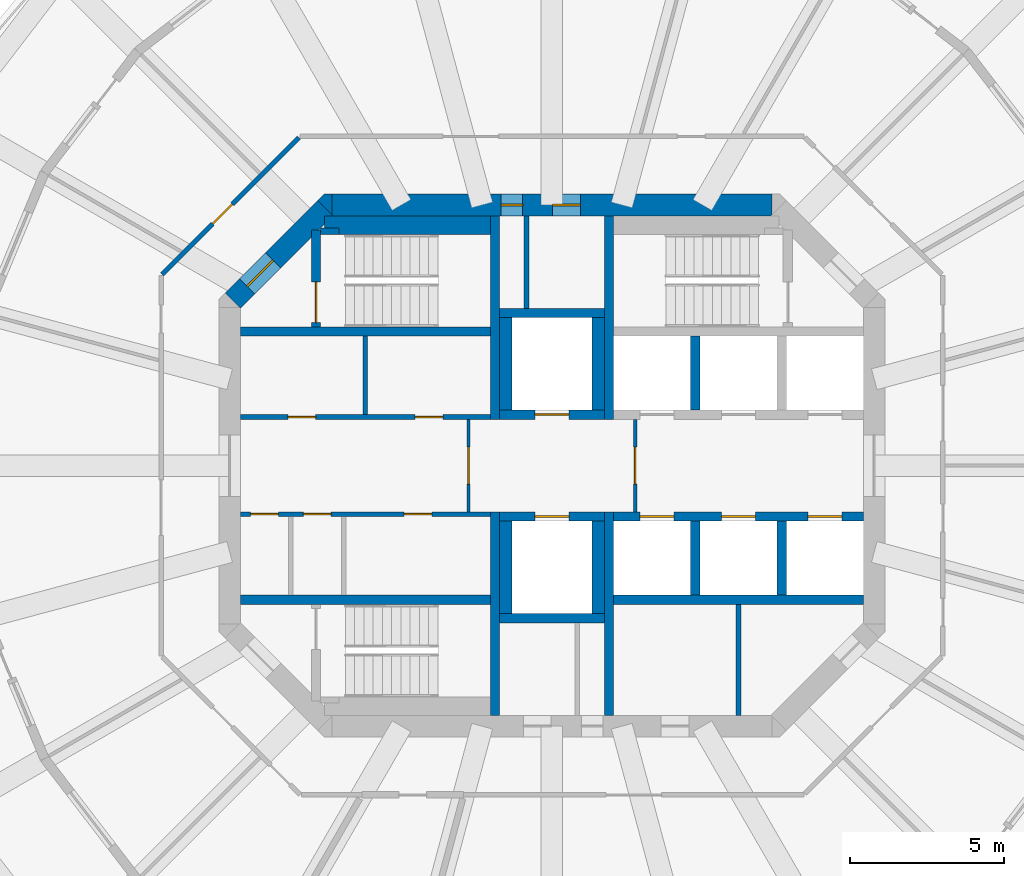
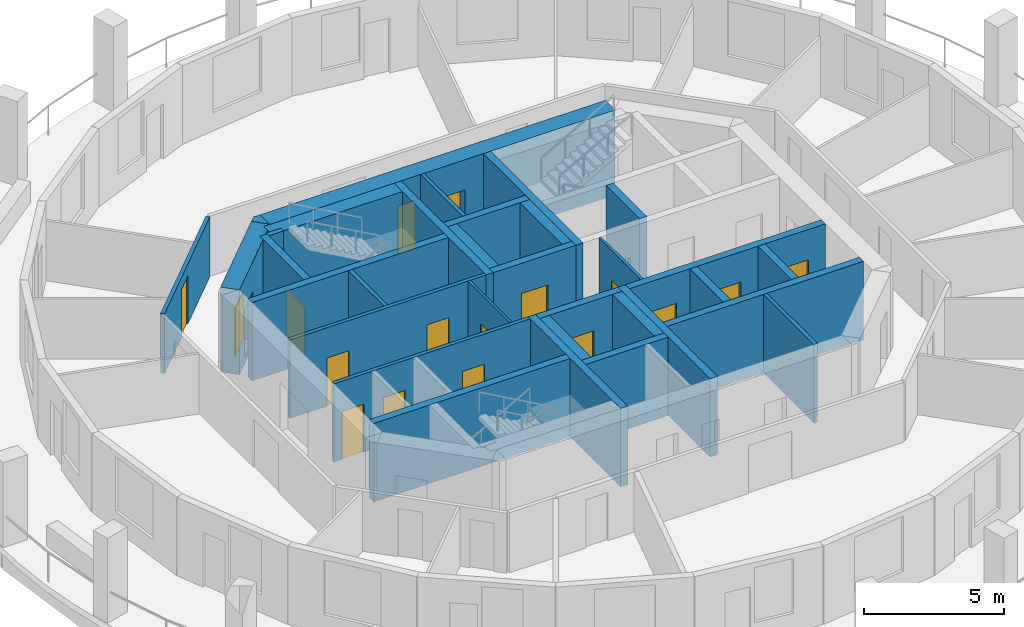
# One storey, part 4 of 9: 33 walls, 17 doors, 17 openings.
"""IFC4 building model written with IfcOpenShell, lengths in metres."""

from ifc_helpers import new_model, si_unit, direction, frame, frame_2d, origin, place, context, subcontext, project, spatial, polyline, rectangle, outline, extrude, material, layer, layer_set, type_object, element, fill, save


model = new_model("IFC4")

# Units and contexts
model_context = context("Model", 3, precision=1e-05, world=origin(), true_north=direction((0.0, 1.0)))
body_context = subcontext(model_context, "Body", "Model", "MODEL_VIEW")
ifc_project = project(units=[si_unit("LENGTHUNIT", "METRE"), si_unit("AREAUNIT", "SQUARE_METRE"), si_unit("VOLUMEUNIT", "CUBIC_METRE"), si_unit("PLANEANGLEUNIT", "RADIAN"), si_unit("MASSUNIT", "GRAM", prefix="KILO")], contexts=[model_context])

# Site, building, storey
site_placement = place(None, origin())
site = spatial("IfcSite", under=ifc_project, at=site_placement, CompositionType="ELEMENT")
building_placement = place(site_placement, origin())
building = spatial("IfcBuilding", under=site, at=building_placement, Name="Torre Triforio", CompositionType="ELEMENT")
storey_placement = place(building_placement, frame((0.0, 0.0, 157.89990234375)))
storey = spatial("IfcBuildingStorey", under=building, at=storey_placement, Name="L35", CompositionType="ELEMENT", Elevation=157.89990234375)

# Walls
ifc_material_1 = material(Name="Concrete C50", Category="concrete")
ifc_layer_1 = layer(ifc_material_1, 0.300048828125)
ifc_layer_set_1 = layer_set([ifc_layer_1], Name="Concrete C50")
wall_type_1 = type_object("IfcWallType", Name="Core wall 300 mm C50 EI 120", PredefinedType="SHEAR", material=ifc_layer_set_1)
for number, where, z_axis, x_axis, name in (
    (1, (-1.85009765625, 1.5, 0.0), (0.0, 0.0, 1.0), (0.0, 1.0, 0.0), "Core wall"),
    (2, (-1.85009765625, -8.10009765625, 0.0), (0.0, 0.0, 1.0), (0.0, 1.0, 0.0), "Core wall"),
    (3, (1.85009765625, 1.5, 0.0), (0.0, 0.0, 1.0), (0.0, 1.0, 0.0), "Core wall"),
    (4, (1.85009765625, -8.10009765625, 0.0), (0.0, 0.0, 1.0), (0.0, 1.0, 0.0), "Core wall"),
):
    element("IfcWall", number, at=place(storey_placement, frame(where, z_axis=z_axis, x_axis=x_axis)), inside=storey, type_object=wall_type_1, Name=name, PredefinedType="SHEAR", context=body_context, shape_type="SweptSolid", body=[
        extrude(rectangle(XDim=6.60009765625, YDim=0.300048828125, at=frame_2d((3.300048828125, 0.0))), origin(), (0.0, 0.0, 1.0), 3.420166015625),
    ])

# Wall, openings, doors
ifc_layer_2 = layer(ifc_material_1, 0.699951171875)
ifc_layer_set_2 = layer_set([ifc_layer_2], Name="Concrete C50")
wall_type_2 = type_object("IfcWallType", Name="Core wall 700 mm C50 EI 120", PredefinedType="SHEAR", material=ifc_layer_set_2)
wall_1_placement = place(storey_placement, frame((-7.1298828125, 8.449951171875, -0.27978515625), z_axis=(0.0, 0.0, 1.0), x_axis=(1.0, 0.0, 0.0)))
wall_1 = element("IfcWall", 5, at=wall_1_placement, inside=storey, type_object=wall_type_2, Name="Core wall", PredefinedType="SHEAR", context=body_context, shape_type="SweptSolid", body=[
    extrude(rectangle(XDim=14.259765625, YDim=0.699951171875, at=frame_2d((7.1298828125, 0.0))), origin(), (0.0, 0.0, 1.0), 3.699951171875),
])
opening_1_placement = place(wall_1_placement, frame((5.47998046875, 0.0, 0.280029296875)))
opening_1 = element("IfcOpeningElement", 6, at=opening_1_placement, cuts=wall_1, Name="Opening RISER-N", PredefinedType="OPENING", context=body_context, shape_type="SweptSolid", body=[
    extrude(rectangle(XDim=0.699951171875, YDim=2.10009765625, at=frame_2d((0.35009765625, 1.050048828125))), frame((0.0, 0.35986328125, 0.0), z_axis=(0.0, -1.0, 0.0), x_axis=(1.0, 0.0, 0.0)), (0.0, 0.0, 1.0), 0.719970703125),
])
opening_2_placement = place(wall_1_placement, frame((7.155029296875, 0.0, 0.280029296875)))
opening_2 = element("IfcOpeningElement", 7, at=opening_2_placement, cuts=wall_1, Name="Opening NE-01", PredefinedType="OPENING", context=body_context, shape_type="SweptSolid", body=[
    extrude(rectangle(XDim=0.89990234375, YDim=2.10009765625, at=frame_2d((0.449951171875, 1.050048828125))), frame((0.0, 0.35986328125, 0.0), z_axis=(0.0, -1.0, 0.0), x_axis=(1.0, 0.0, 0.0)), (0.0, 0.0, 1.0), 0.719970703125),
])
ifc_material_2 = material(Name="Hollow metal fire door leaf")
door_type_1 = type_object("IfcDoorType", Name="Riser door 700 x 2100 EI 60", OperationType="NOTDEFINED", PredefinedType="DOOR", material=ifc_material_2)
door_1_placement = place(opening_1_placement, origin())
door_1 = element("IfcDoor", 8, at=door_1_placement, inside=storey, type_object=door_type_1, Name="Core door RISER-N", OperationType="SINGLE_SWING_LEFT", OverallHeight=2.10009765625, OverallWidth=0.699951171875, PredefinedType="DOOR", context=body_context, shape_type="SweptSolid", body=[
    extrude(rectangle(XDim=0.699951171875, YDim=2.10009765625, at=frame_2d((0.35009765625, 1.050048828125))), frame((0.0, 0.02490234375, 0.0), z_axis=(0.0, -1.0, 0.0), x_axis=(1.0, 0.0, 0.0)), (0.0, 0.0, 1.0), 0.050048828125),
])
fill(opening_1, door_1)
door_type_2 = type_object("IfcDoorType", Name="Room door 900 x 2100 EI 60", OperationType="NOTDEFINED", PredefinedType="DOOR", material=ifc_material_2)
door_2_placement = place(opening_2_placement, origin())
door_2 = element("IfcDoor", 9, at=door_2_placement, inside=storey, type_object=door_type_2, Name="Core door NE-01", OperationType="SINGLE_SWING_RIGHT", OverallHeight=2.10009765625, OverallWidth=0.89990234375, PredefinedType="DOOR", context=body_context, shape_type="SweptSolid", body=[
    extrude(rectangle(XDim=0.89990234375, YDim=2.10009765625, at=frame_2d((0.449951171875, 1.050048828125))), frame((0.0, 0.02490234375, 0.0), z_axis=(0.0, -1.0, 0.0), x_axis=(1.0, 0.0, 0.0)), (0.0, 0.0, 1.0), 0.050048828125),
])
fill(opening_2, door_2)

# Wall, opening, door
wall_2_placement = place(storey_placement, frame((-10.347412109375, 5.347412109375, -0.27978515625), z_axis=(0.0, 0.0, 1.0), x_axis=(0.707106781187, 0.707106781187, 0.0)))
wall_2 = element("IfcWall", 10, at=wall_2_placement, inside=storey, type_object=wall_type_2, Name="Core wall", PredefinedType="SHEAR", context=body_context, shape_type="SweptSolid", body=[
    extrude(rectangle(XDim=4.24267578125, YDim=0.699951171875, at=frame_2d((2.121337890625, 0.0))), origin(), (0.0, 0.0, 1.0), 3.699951171875),
])
opening_3_placement = place(wall_2_placement, frame((0.64990234375, 0.0, 0.280029296875)))
opening_3 = element("IfcOpeningElement", 11, at=opening_3_placement, cuts=wall_2, Name="Opening ST1-EXIT", PredefinedType="OPENING", context=body_context, shape_type="SweptSolid", body=[
    extrude(rectangle(XDim=1.199951171875, YDim=2.10009765625, at=frame_2d((0.60009765625, 1.050048828125))), frame((0.0, 0.35986328125, 0.0), z_axis=(0.0, -1.0, 0.0), x_axis=(1.0, 0.0, 0.0)), (0.0, 0.0, 1.0), 0.719970703125),
])
door_type_3 = type_object("IfcDoorType", Name="Stair lobby door 1200 x 2100 EI 60", OperationType="NOTDEFINED", PredefinedType="DOOR", material=ifc_material_2)
door_3_placement = place(opening_3_placement, origin())
door_3 = element("IfcDoor", 12, at=door_3_placement, inside=storey, type_object=door_type_3, Name="Core door ST1-EXIT", OperationType="SINGLE_SWING_RIGHT", OverallHeight=2.10009765625, OverallWidth=1.199951171875, PredefinedType="DOOR", context=body_context, shape_type="SweptSolid", body=[
    extrude(rectangle(XDim=1.199951171875, YDim=2.10009765625, at=frame_2d((0.60009765625, 1.050048828125))), frame((0.0, 0.02490234375, 0.0), z_axis=(0.0, -1.0, 0.0), x_axis=(1.0, 0.0, 0.0)), (0.0, 0.0, 1.0), 0.050048828125),
])
fill(opening_3, door_3)

# Wall
wall_3_placement = place(storey_placement, frame((0.0, 0.0, -0.27978515625)))
element("IfcWall", 13, at=wall_3_placement, inside=storey, type_object=wall_type_2, Name="Core wall", PredefinedType="SHEAR", context=body_context, shape_type="SweptSolid", body=[
    extrude(outline(polyline([(-7.389892578125, 8.800048828125), (-7.1298828125, 8.800048828125), (-7.1298828125, 8.800048828125), (-7.1298828125, 8.1298828125), (-7.594970703125, 8.594970703125), (-7.594970703125, 8.594970703125), (-7.594970703125, 8.594970703125), (-7.389892578125, 8.800048828125)])), origin(), (0.0, 0.0, 1.0), 3.699951171875),
])

# Wall, opening, door
ifc_material_3 = material(Name="Plasterboard on metal studs")
ifc_layer_3 = layer(ifc_material_3, 0.14990234375)
ifc_layer_set_3 = layer_set([ifc_layer_3], Name="Plasterboard on metal studs")
wall_type_3 = type_object("IfcWallType", Name="Corridor and tenancy wall 150 mm EI 60", PredefinedType="PARTITIONING", material=ifc_layer_set_3)
wall_4_placement = place(storey_placement, frame((-12.637939453125, 6.20361328125, 0.0), z_axis=(0.0, 0.0, 1.0), x_axis=(0.707106781187, 0.707106781187, 0.0)))
wall_4 = element("IfcWall", 14, at=wall_4_placement, inside=storey, type_object=wall_type_3, Name="Partition 7", PredefinedType="PARTITIONING", context=body_context, shape_type="SweptSolid", body=[
    extrude(rectangle(XDim=6.27099609375, YDim=0.14990234375, at=frame_2d((3.135498046875, 0.0))), origin(), (0.0, 0.0, 1.0), 2.6201171875),
])
opening_4_placement = place(wall_4_placement, frame((2.313720703125, 0.0, 0.0)))
opening_4 = element("IfcOpeningElement", 15, at=opening_4_placement, cuts=wall_4, Name="Opening O1-07", PredefinedType="OPENING", context=body_context, shape_type="SweptSolid", body=[
    extrude(rectangle(XDim=0.89990234375, YDim=2.10009765625, at=frame_2d((0.449951171875, 1.050048828125))), frame((0.0, 0.0849609375, 0.0), z_axis=(0.0, -1.0, 0.0), x_axis=(1.0, 0.0, 0.0)), (0.0, 0.0, 1.0), 0.169921875),
])
ifc_material_4 = material(Name="Timber", Category="wood")
door_type_4 = type_object("IfcDoorType", Name="Door 900 x 2100 single leaf EI 30", OperationType="NOTDEFINED", PredefinedType="DOOR", material=ifc_material_4)
door_4_placement = place(opening_4_placement, origin())
door_4 = element("IfcDoor", 16, at=door_4_placement, inside=storey, type_object=door_type_4, Name="Door O1-07", OperationType="SINGLE_SWING_LEFT", OverallHeight=2.10009765625, OverallWidth=0.89990234375, PredefinedType="DOOR", context=body_context, shape_type="SweptSolid", body=[
    extrude(rectangle(XDim=0.89990234375, YDim=2.10009765625, at=frame_2d((0.449951171875, 1.050048828125))), frame((0.0, 0.02490234375, 0.0), z_axis=(0.0, -1.0, 0.0), x_axis=(1.0, 0.0, 0.0)), (0.0, 0.0, 1.0), 0.050048828125),
])
fill(opening_4, door_4)

ifc_material_5 = material(Name="Block and board partition")
ifc_layer_4 = layer(ifc_material_5, 0.10009765625)
ifc_layer_set_4 = layer_set([ifc_layer_4], Name="Block and board partition")
wall_type_4 = type_object("IfcWallType", Name="Partition 100 mm EI 120", PredefinedType="PARTITIONING", material=ifc_layer_set_4)
wall_5_placement = place(storey_placement, frame((-2.699951171875, -1.5, 0.0), z_axis=(0.0, 0.0, 1.0), x_axis=(0.0, 1.0, 0.0)))
wall_5 = element("IfcWall", 17, at=wall_5_placement, inside=storey, type_object=wall_type_4, Name="Partition", PredefinedType="PARTITIONING", context=body_context, shape_type="SweptSolid", body=[
    extrude(rectangle(XDim=3.0, YDim=0.10009765625, at=frame_2d((1.5, 0.0))), origin(), (0.0, 0.0, 1.0), 3.420166015625),
])
opening_5_placement = place(wall_5_placement, frame((0.89990234375, 0.0, 0.0)))
opening_5 = element("IfcOpeningElement", 18, at=opening_5_placement, cuts=wall_5, Name="Opening FF-W", PredefinedType="OPENING", context=body_context, shape_type="SweptSolid", body=[
    extrude(rectangle(XDim=1.199951171875, YDim=2.10009765625, at=frame_2d((0.60009765625, 1.050048828125))), frame((0.0, 0.06005859375, 0.0), z_axis=(0.0, -1.0, 0.0), x_axis=(1.0, 0.0, 0.0)), (0.0, 0.0, 1.0), 0.1201171875),
])
door_type_5 = type_object("IfcDoorType", Name="Fire-fighting lobby door 1200 x 2100 EI 60", OperationType="NOTDEFINED", PredefinedType="DOOR", material=ifc_material_2)
door_5_placement = place(opening_5_placement, origin())
door_5 = element("IfcDoor", 19, at=door_5_placement, inside=storey, type_object=door_type_5, Name="Core door FF-W", OperationType="SINGLE_SWING_RIGHT", OverallHeight=2.10009765625, OverallWidth=1.199951171875, PredefinedType="DOOR", context=body_context, shape_type="SweptSolid", body=[
    extrude(rectangle(XDim=1.199951171875, YDim=2.10009765625, at=frame_2d((0.60009765625, 1.050048828125))), frame((0.0, 0.02490234375, 0.0), z_axis=(0.0, -1.0, 0.0), x_axis=(1.0, 0.0, 0.0)), (0.0, 0.0, 1.0), 0.050048828125),
])
fill(opening_5, door_5)

wall_6_placement = place(storey_placement, frame((2.699951171875, -1.5, 0.0), z_axis=(0.0, 0.0, 1.0), x_axis=(0.0, 1.0, 0.0)))
wall_6 = element("IfcWall", 20, at=wall_6_placement, inside=storey, type_object=wall_type_4, Name="Partition", PredefinedType="PARTITIONING", context=body_context, shape_type="SweptSolid", body=[
    extrude(rectangle(XDim=3.0, YDim=0.10009765625, at=frame_2d((1.5, 0.0))), origin(), (0.0, 0.0, 1.0), 3.420166015625),
])
opening_6_placement = place(wall_6_placement, frame((0.89990234375, 0.0, 0.0)))
opening_6 = element("IfcOpeningElement", 21, at=opening_6_placement, cuts=wall_6, Name="Opening FF-E", PredefinedType="OPENING", context=body_context, shape_type="SweptSolid", body=[
    extrude(rectangle(XDim=1.199951171875, YDim=2.10009765625, at=frame_2d((0.60009765625, 1.050048828125))), frame((0.0, 0.06005859375, 0.0), z_axis=(0.0, -1.0, 0.0), x_axis=(1.0, 0.0, 0.0)), (0.0, 0.0, 1.0), 0.1201171875),
])
door_6_placement = place(opening_6_placement, origin())
door_6 = element("IfcDoor", 22, at=door_6_placement, inside=storey, type_object=door_type_5, Name="Core door FF-E", OperationType="SINGLE_SWING_RIGHT", OverallHeight=2.10009765625, OverallWidth=1.199951171875, PredefinedType="DOOR", context=body_context, shape_type="SweptSolid", body=[
    extrude(rectangle(XDim=1.199951171875, YDim=2.10009765625, at=frame_2d((0.60009765625, 1.050048828125))), frame((0.0, 0.02490234375, 0.0), z_axis=(0.0, -1.0, 0.0), x_axis=(1.0, 0.0, 0.0)), (0.0, 0.0, 1.0), 0.050048828125),
])
fill(opening_6, door_6)

# Walls
ifc_layer_5 = layer(ifc_material_5, 0.14990234375)
ifc_layer_set_5 = layer_set([ifc_layer_5], Name="Block and board partition")
wall_type_5 = type_object("IfcWallType", Name="Partition 150 mm", PredefinedType="PARTITIONING", material=ifc_layer_set_5)
wall_7_placement = place(storey_placement, frame((6.050048828125, -8.10009765625, 0.0), z_axis=(0.0, 0.0, 1.0), x_axis=(0.0, 1.0, 0.0)))
element("IfcWall", 23, at=wall_7_placement, inside=storey, type_object=wall_type_5, Name="Partition", PredefinedType="PARTITIONING", context=body_context, shape_type="SweptSolid", body=[
    extrude(rectangle(XDim=3.60009765625, YDim=0.14990234375, at=frame_2d((1.800048828125, 0.0))), origin(), (0.0, 0.0, 1.0), 3.420166015625),
])
wall_8_placement = place(storey_placement, frame((-6.050048828125, 1.64990234375, 0.0), z_axis=(0.0, 0.0, 1.0), x_axis=(0.0, 1.0, 0.0)))
element("IfcWall", 24, at=wall_8_placement, inside=storey, type_object=wall_type_5, Name="Partition", PredefinedType="PARTITIONING", context=body_context, shape_type="SweptSolid", body=[
    extrude(rectangle(XDim=2.550048828125, YDim=0.14990234375, at=frame_2d((1.27490234375, 0.0))), origin(), (0.0, 0.0, 1.0), 3.420166015625),
])
ifc_layer_6 = layer(ifc_material_5, 0.14990234375)
ifc_layer_set_6 = layer_set([ifc_layer_6], Name="Block and board partition")
wall_type_6 = type_object("IfcWallType", Name="Partition 150 mm EI 120", PredefinedType="PARTITIONING", material=ifc_layer_set_6)
wall_9_placement = place(storey_placement, frame((-0.824951171875, 5.10009765625, 0.0), z_axis=(0.0, 0.0, 1.0), x_axis=(0.0, 1.0, 0.0)))
element("IfcWall", 25, at=wall_9_placement, inside=storey, type_object=wall_type_6, Name="Partition", PredefinedType="PARTITIONING", context=body_context, shape_type="SweptSolid", body=[
    extrude(rectangle(XDim=3.0, YDim=0.14990234375, at=frame_2d((1.5, 0.0))), origin(), (0.0, 0.0, 1.0), 3.420166015625),
])

# Wall, openings, doors
wall_10_placement = place(storey_placement, frame((-10.10009765625, 1.574951171875, 0.0), z_axis=(0.0, 0.0, 1.0), x_axis=(1.0, 0.0, 0.0)))
wall_10 = element("IfcWall", 26, at=wall_10_placement, inside=storey, type_object=wall_type_6, Name="Partition", PredefinedType="PARTITIONING", context=body_context, shape_type="SweptSolid", body=[
    extrude(rectangle(XDim=8.10009765625, YDim=0.14990234375, at=frame_2d((4.050048828125, 0.0))), origin(), (0.0, 0.0, 1.0), 3.420166015625),
])
opening_7_placement = place(wall_10_placement, frame((1.53759765625, 0.0, 0.0)))
opening_7 = element("IfcOpeningElement", 27, at=opening_7_placement, cuts=wall_10, Name="Opening FN-01", PredefinedType="OPENING", context=body_context, shape_type="SweptSolid", body=[
    extrude(rectangle(XDim=0.89990234375, YDim=2.10009765625, at=frame_2d((0.449951171875, 1.050048828125))), frame((0.0, 0.0849609375, 0.0), z_axis=(0.0, -1.0, 0.0), x_axis=(1.0, 0.0, 0.0)), (0.0, 0.0, 1.0), 0.169921875),
])
opening_8_placement = place(wall_10_placement, frame((5.66259765625, 0.0, 0.0)))
opening_8 = element("IfcOpeningElement", 28, at=opening_8_placement, cuts=wall_10, Name="Opening FN-02", PredefinedType="OPENING", context=body_context, shape_type="SweptSolid", body=[
    extrude(rectangle(XDim=0.89990234375, YDim=2.10009765625, at=frame_2d((0.449951171875, 1.050048828125))), frame((0.0, 0.0849609375, 0.0), z_axis=(0.0, -1.0, 0.0), x_axis=(1.0, 0.0, 0.0)), (0.0, 0.0, 1.0), 0.169921875),
])
door_7_placement = place(opening_7_placement, origin())
door_7 = element("IfcDoor", 29, at=door_7_placement, inside=storey, type_object=door_type_2, Name="Core door FN-01", OperationType="SINGLE_SWING_RIGHT", OverallHeight=2.10009765625, OverallWidth=0.89990234375, PredefinedType="DOOR", context=body_context, shape_type="SweptSolid", body=[
    extrude(rectangle(XDim=0.89990234375, YDim=2.10009765625, at=frame_2d((0.449951171875, 1.050048828125))), frame((0.0, 0.02490234375, 0.0), z_axis=(0.0, -1.0, 0.0), x_axis=(1.0, 0.0, 0.0)), (0.0, 0.0, 1.0), 0.050048828125),
])
fill(opening_7, door_7)
door_8_placement = place(opening_8_placement, origin())
door_8 = element("IfcDoor", 30, at=door_8_placement, inside=storey, type_object=door_type_2, Name="Core door FN-02", OperationType="SINGLE_SWING_RIGHT", OverallHeight=2.10009765625, OverallWidth=0.89990234375, PredefinedType="DOOR", context=body_context, shape_type="SweptSolid", body=[
    extrude(rectangle(XDim=0.89990234375, YDim=2.10009765625, at=frame_2d((0.449951171875, 1.050048828125))), frame((0.0, 0.02490234375, 0.0), z_axis=(0.0, -1.0, 0.0), x_axis=(1.0, 0.0, 0.0)), (0.0, 0.0, 1.0), 0.050048828125),
])
fill(opening_8, door_8)

wall_11_placement = place(storey_placement, frame((-10.10009765625, -1.574951171875, 0.0), z_axis=(0.0, 0.0, 1.0), x_axis=(1.0, 0.0, 0.0)))
wall_11 = element("IfcWall", 31, at=wall_11_placement, inside=storey, type_object=wall_type_6, Name="Partition", PredefinedType="PARTITIONING", context=body_context, shape_type="SweptSolid", body=[
    extrude(rectangle(XDim=8.10009765625, YDim=0.14990234375, at=frame_2d((4.050048828125, 0.0))), origin(), (0.0, 0.0, 1.0), 3.420166015625),
])
opening_9_placement = place(wall_11_placement, frame((0.330078125, 0.0, 0.0)))
opening_9 = element("IfcOpeningElement", 32, at=opening_9_placement, cuts=wall_11, Name="Opening FS-01", PredefinedType="OPENING", context=body_context, shape_type="SweptSolid", body=[
    extrude(rectangle(XDim=0.89990234375, YDim=2.10009765625, at=frame_2d((0.449951171875, 1.050048828125))), frame((0.0, 0.0849609375, 0.0), z_axis=(0.0, -1.0, 0.0), x_axis=(1.0, 0.0, 0.0)), (0.0, 0.0, 1.0), 0.169921875),
])
opening_10_placement = place(wall_11_placement, frame((2.0400390625, 0.0, 0.0)))
opening_10 = element("IfcOpeningElement", 33, at=opening_10_placement, cuts=wall_11, Name="Opening FS-02", PredefinedType="OPENING", context=body_context, shape_type="SweptSolid", body=[
    extrude(rectangle(XDim=0.89990234375, YDim=2.10009765625, at=frame_2d((0.449951171875, 1.050048828125))), frame((0.0, 0.0849609375, 0.0), z_axis=(0.0, -1.0, 0.0), x_axis=(1.0, 0.0, 0.0)), (0.0, 0.0, 1.0), 0.169921875),
])
opening_11_placement = place(wall_11_placement, frame((5.31005859375, 0.0, 0.0)))
opening_11 = element("IfcOpeningElement", 34, at=opening_11_placement, cuts=wall_11, Name="Opening FS-03", PredefinedType="OPENING", context=body_context, shape_type="SweptSolid", body=[
    extrude(rectangle(XDim=0.89990234375, YDim=2.10009765625, at=frame_2d((0.449951171875, 1.050048828125))), frame((0.0, 0.0849609375, 0.0), z_axis=(0.0, -1.0, 0.0), x_axis=(1.0, 0.0, 0.0)), (0.0, 0.0, 1.0), 0.169921875),
])
door_9_placement = place(opening_9_placement, origin())
door_9 = element("IfcDoor", 35, at=door_9_placement, inside=storey, type_object=door_type_2, Name="Core door FS-01", OperationType="SINGLE_SWING_LEFT", OverallHeight=2.10009765625, OverallWidth=0.89990234375, PredefinedType="DOOR", context=body_context, shape_type="SweptSolid", body=[
    extrude(rectangle(XDim=0.89990234375, YDim=2.10009765625, at=frame_2d((0.449951171875, 1.050048828125))), frame((0.0, 0.02490234375, 0.0), z_axis=(0.0, -1.0, 0.0), x_axis=(1.0, 0.0, 0.0)), (0.0, 0.0, 1.0), 0.050048828125),
])
fill(opening_9, door_9)
door_10_placement = place(opening_10_placement, origin())
door_10 = element("IfcDoor", 36, at=door_10_placement, inside=storey, type_object=door_type_2, Name="Core door FS-02", OperationType="SINGLE_SWING_LEFT", OverallHeight=2.10009765625, OverallWidth=0.89990234375, PredefinedType="DOOR", context=body_context, shape_type="SweptSolid", body=[
    extrude(rectangle(XDim=0.89990234375, YDim=2.10009765625, at=frame_2d((0.449951171875, 1.050048828125))), frame((0.0, 0.02490234375, 0.0), z_axis=(0.0, -1.0, 0.0), x_axis=(1.0, 0.0, 0.0)), (0.0, 0.0, 1.0), 0.050048828125),
])
fill(opening_10, door_10)
door_11_placement = place(opening_11_placement, origin())
door_11 = element("IfcDoor", 37, at=door_11_placement, inside=storey, type_object=door_type_2, Name="Core door FS-03", OperationType="SINGLE_SWING_LEFT", OverallHeight=2.10009765625, OverallWidth=0.89990234375, PredefinedType="DOOR", context=body_context, shape_type="SweptSolid", body=[
    extrude(rectangle(XDim=0.89990234375, YDim=2.10009765625, at=frame_2d((0.449951171875, 1.050048828125))), frame((0.0, 0.02490234375, 0.0), z_axis=(0.0, -1.0, 0.0), x_axis=(1.0, 0.0, 0.0)), (0.0, 0.0, 1.0), 0.050048828125),
])
fill(opening_11, door_11)

# Walls
ifc_layer_7 = layer(ifc_material_1, 0.300048828125)
ifc_layer_set_7 = layer_set([ifc_layer_7], Name="Concrete C50")
wall_type_7 = type_object("IfcWallType", Name="Shaft wall 300 mm C50 EI 120", PredefinedType="SOLIDWALL", material=ifc_layer_set_7)
for number, where, z_axis, x_axis, name in (
    (38, (-10.10009765625, 4.35009765625, 0.0), (0.0, 0.0, 1.0), (1.0, 0.0, 0.0), "Shaft wall"),
    (39, (-10.10009765625, -4.35009765625, 0.0), (0.0, 0.0, 1.0), (1.0, 0.0, 0.0), "Shaft wall"),
    (40, (2.0, -4.35009765625, 0.0), (0.0, 0.0, 1.0), (1.0, 0.0, 0.0), "Shaft wall"),
):
    element("IfcWall", number, at=place(storey_placement, frame(where, z_axis=z_axis, x_axis=x_axis)), inside=storey, type_object=wall_type_7, Name=name, PredefinedType="SOLIDWALL", context=body_context, shape_type="SweptSolid", body=[
        extrude(rectangle(XDim=8.10009765625, YDim=0.300048828125, at=frame_2d((4.050048828125, 0.0))), origin(), (0.0, 0.0, 1.0), 3.420166015625),
    ])

# Wall, openings, doors
wall_12_placement = place(storey_placement, frame((2.0, -1.64990234375, 0.0), z_axis=(0.0, 0.0, 1.0), x_axis=(1.0, 0.0, 0.0)))
wall_12 = element("IfcWall", 41, at=wall_12_placement, inside=storey, type_object=wall_type_7, Name="Shaft wall", PredefinedType="SOLIDWALL", context=body_context, shape_type="SweptSolid", body=[
    extrude(rectangle(XDim=8.10009765625, YDim=0.300048828125, at=frame_2d((4.050048828125, 0.0))), origin(), (0.0, 0.0, 1.0), 3.420166015625),
])
opening_12_placement = place(wall_12_placement, frame((0.85009765625, 0.0, 0.0)))
opening_12 = element("IfcOpeningElement", 42, at=opening_12_placement, cuts=wall_12, Name="Opening LD", PredefinedType="OPENING", context=body_context, shape_type="SweptSolid", body=[
    extrude(rectangle(XDim=1.10009765625, YDim=2.10009765625, at=frame_2d((0.550048828125, 1.050048828125))), frame((0.0, 0.159912109375, 0.0), z_axis=(0.0, -1.0, 0.0), x_axis=(1.0, 0.0, 0.0)), (0.0, 0.0, 1.0), 0.320068359375),
])
opening_13_placement = place(wall_12_placement, frame((3.5, 0.0, 0.0)))
opening_13 = element("IfcOpeningElement", 43, at=opening_13_placement, cuts=wall_12, Name="Opening LD", PredefinedType="OPENING", context=body_context, shape_type="SweptSolid", body=[
    extrude(rectangle(XDim=1.10009765625, YDim=2.10009765625, at=frame_2d((0.550048828125, 1.050048828125))), frame((0.0, 0.159912109375, 0.0), z_axis=(0.0, -1.0, 0.0), x_axis=(1.0, 0.0, 0.0)), (0.0, 0.0, 1.0), 0.320068359375),
])
opening_14_placement = place(wall_12_placement, frame((6.300048828125, 0.0, 0.0)))
opening_14 = element("IfcOpeningElement", 44, at=opening_14_placement, cuts=wall_12, Name="Opening LD", PredefinedType="OPENING", context=body_context, shape_type="SweptSolid", body=[
    extrude(rectangle(XDim=1.10009765625, YDim=2.10009765625, at=frame_2d((0.550048828125, 1.050048828125))), frame((0.0, 0.159912109375, 0.0), z_axis=(0.0, -1.0, 0.0), x_axis=(1.0, 0.0, 0.0)), (0.0, 0.0, 1.0), 0.320068359375),
])
door_type_6 = type_object("IfcDoorType", Name="Landing door 1100 x 2100 EI 60", OperationType="DOUBLE_DOOR_SLIDING", PredefinedType="DOOR", material=ifc_material_2)
door_12_placement = place(opening_12_placement, origin())
door_12 = element("IfcDoor", 45, at=door_12_placement, inside=storey, type_object=door_type_6, Name="Landing door HR4", OperationType="DOUBLE_DOOR_SLIDING", OverallHeight=2.10009765625, OverallWidth=1.10009765625, PredefinedType="DOOR", context=body_context, shape_type="SweptSolid", body=[
    extrude(rectangle(XDim=1.10009765625, YDim=2.10009765625, at=frame_2d((0.550048828125, 1.050048828125))), frame((0.0, 0.02490234375, 0.0), z_axis=(0.0, -1.0, 0.0), x_axis=(1.0, 0.0, 0.0)), (0.0, 0.0, 1.0), 0.050048828125),
])
fill(opening_12, door_12)
door_13_placement = place(opening_13_placement, origin())
door_13 = element("IfcDoor", 46, at=door_13_placement, inside=storey, type_object=door_type_6, Name="Landing door HR5", OperationType="DOUBLE_DOOR_SLIDING", OverallHeight=2.10009765625, OverallWidth=1.10009765625, PredefinedType="DOOR", context=body_context, shape_type="SweptSolid", body=[
    extrude(rectangle(XDim=1.10009765625, YDim=2.10009765625, at=frame_2d((0.550048828125, 1.050048828125))), frame((0.0, 0.02490234375, 0.0), z_axis=(0.0, -1.0, 0.0), x_axis=(1.0, 0.0, 0.0)), (0.0, 0.0, 1.0), 0.050048828125),
])
fill(opening_13, door_13)
door_14_placement = place(opening_14_placement, origin())
door_14 = element("IfcDoor", 47, at=door_14_placement, inside=storey, type_object=door_type_6, Name="Landing door HR6", OperationType="DOUBLE_DOOR_SLIDING", OverallHeight=2.10009765625, OverallWidth=1.10009765625, PredefinedType="DOOR", context=body_context, shape_type="SweptSolid", body=[
    extrude(rectangle(XDim=1.10009765625, YDim=2.10009765625, at=frame_2d((0.550048828125, 1.050048828125))), frame((0.0, 0.02490234375, 0.0), z_axis=(0.0, -1.0, 0.0), x_axis=(1.0, 0.0, 0.0)), (0.0, 0.0, 1.0), 0.050048828125),
])
fill(opening_14, door_14)

# Walls
for number, where, z_axis, x_axis, name in (
    (48, (4.64990234375, 1.800048828125, 0.0), (0.0, 0.0, 1.0), (0.0, 1.0, 0.0), "Shaft wall"),
    (49, (4.64990234375, -4.199951171875, 0.0), (0.0, 0.0, 1.0), (0.0, 1.0, 0.0), "Shaft wall"),
    (50, (7.449951171875, -4.199951171875, 0.0), (0.0, 0.0, 1.0), (0.0, 1.0, 0.0), "Shaft wall"),
):
    element("IfcWall", number, at=place(storey_placement, frame(where, z_axis=z_axis, x_axis=x_axis)), inside=storey, type_object=wall_type_7, Name=name, PredefinedType="SOLIDWALL", context=body_context, shape_type="SweptSolid", body=[
        extrude(rectangle(XDim=2.39990234375, YDim=0.300048828125, at=frame_2d((1.199951171875, 0.0))), origin(), (0.0, 0.0, 1.0), 3.420166015625),
    ])

# Wall, opening, door
wall_13_placement = place(storey_placement, frame((-1.699951171875, 1.64990234375, 0.0), z_axis=(0.0, 0.0, 1.0), x_axis=(1.0, 0.0, 0.0)))
wall_13 = element("IfcWall", 51, at=wall_13_placement, inside=storey, type_object=wall_type_7, Name="Shaft wall", PredefinedType="SOLIDWALL", context=body_context, shape_type="SweptSolid", body=[
    extrude(rectangle(XDim=3.39990234375, YDim=0.300048828125, at=frame_2d((1.699951171875, 0.0))), origin(), (0.0, 0.0, 1.0), 3.420166015625),
])
opening_15_placement = place(wall_13_placement, frame((1.14990234375, 0.0, 0.0)))
opening_15 = element("IfcOpeningElement", 52, at=opening_15_placement, cuts=wall_13, Name="Opening LD", PredefinedType="OPENING", context=body_context, shape_type="SweptSolid", body=[
    extrude(rectangle(XDim=1.10009765625, YDim=2.10009765625, at=frame_2d((0.550048828125, 1.050048828125))), frame((0.0, 0.159912109375, 0.0), z_axis=(0.0, -1.0, 0.0), x_axis=(1.0, 0.0, 0.0)), (0.0, 0.0, 1.0), 0.320068359375),
])
door_15_placement = place(opening_15_placement, origin())
door_15 = element("IfcDoor", 53, at=door_15_placement, inside=storey, type_object=door_type_6, Name="Landing door FFL1", OperationType="DOUBLE_DOOR_SLIDING", OverallHeight=2.10009765625, OverallWidth=1.10009765625, PredefinedType="DOOR", context=body_context, shape_type="SweptSolid", body=[
    extrude(rectangle(XDim=1.10009765625, YDim=2.10009765625, at=frame_2d((0.550048828125, 1.050048828125))), frame((0.0, 0.02490234375, 0.0), z_axis=(0.0, -1.0, 0.0), x_axis=(1.0, 0.0, 0.0)), (0.0, 0.0, 1.0), 0.050048828125),
])
fill(opening_15, door_15)

wall_14_placement = place(storey_placement, frame((-1.699951171875, -1.64990234375, 0.0), z_axis=(0.0, 0.0, 1.0), x_axis=(1.0, 0.0, 0.0)))
wall_14 = element("IfcWall", 54, at=wall_14_placement, inside=storey, type_object=wall_type_7, Name="Shaft wall", PredefinedType="SOLIDWALL", context=body_context, shape_type="SweptSolid", body=[
    extrude(rectangle(XDim=3.39990234375, YDim=0.300048828125, at=frame_2d((1.699951171875, 0.0))), origin(), (0.0, 0.0, 1.0), 3.420166015625),
])
opening_16_placement = place(wall_14_placement, frame((1.14990234375, 0.0, 0.0)))
opening_16 = element("IfcOpeningElement", 55, at=opening_16_placement, cuts=wall_14, Name="Opening LD", PredefinedType="OPENING", context=body_context, shape_type="SweptSolid", body=[
    extrude(rectangle(XDim=1.10009765625, YDim=2.10009765625, at=frame_2d((0.550048828125, 1.050048828125))), frame((0.0, 0.159912109375, 0.0), z_axis=(0.0, -1.0, 0.0), x_axis=(1.0, 0.0, 0.0)), (0.0, 0.0, 1.0), 0.320068359375),
])
door_16_placement = place(opening_16_placement, origin())
door_16 = element("IfcDoor", 56, at=door_16_placement, inside=storey, type_object=door_type_6, Name="Landing door FFL2", OperationType="DOUBLE_DOOR_SLIDING", OverallHeight=2.10009765625, OverallWidth=1.10009765625, PredefinedType="DOOR", context=body_context, shape_type="SweptSolid", body=[
    extrude(rectangle(XDim=1.10009765625, YDim=2.10009765625, at=frame_2d((0.550048828125, 1.050048828125))), frame((0.0, 0.02490234375, 0.0), z_axis=(0.0, -1.0, 0.0), x_axis=(1.0, 0.0, 0.0)), (0.0, 0.0, 1.0), 0.050048828125),
])
fill(opening_16, door_16)

# Walls
for number, where, z_axis, x_axis, name in (
    (57, (-1.699951171875, 4.949951171875, 0.0), (0.0, 0.0, 1.0), (1.0, 0.0, 0.0), "Shaft wall"),
    (58, (-1.699951171875, -4.949951171875, 0.0), (0.0, 0.0, 1.0), (1.0, 0.0, 0.0), "Shaft wall"),
):
    element("IfcWall", number, at=place(storey_placement, frame(where, z_axis=z_axis, x_axis=x_axis)), inside=storey, type_object=wall_type_7, Name=name, PredefinedType="SOLIDWALL", context=body_context, shape_type="SweptSolid", body=[
        extrude(rectangle(XDim=3.39990234375, YDim=0.300048828125, at=frame_2d((1.699951171875, 0.0))), origin(), (0.0, 0.0, 1.0), 3.420166015625),
    ])
ifc_layer_8 = layer(ifc_material_1, 0.39990234375)
ifc_layer_set_8 = layer_set([ifc_layer_8], Name="Concrete C50")
wall_type_8 = type_object("IfcWallType", Name="Shaft wall 400 mm C50 EI 120", PredefinedType="SOLIDWALL", material=ifc_layer_set_8)
for number, where, z_axis, x_axis, name in (
    (59, (-1.5, 1.800048828125, 0.0), (0.0, 0.0, 1.0), (0.0, 1.0, 0.0), "Shaft wall"),
    (60, (-1.5, -4.800048828125, 0.0), (0.0, 0.0, 1.0), (0.0, 1.0, 0.0), "Shaft wall"),
    (61, (1.5, 1.800048828125, 0.0), (0.0, 0.0, 1.0), (0.0, 1.0, 0.0), "Shaft wall"),
    (62, (1.5, -4.800048828125, 0.0), (0.0, 0.0, 1.0), (0.0, 1.0, 0.0), "Shaft wall"),
):
    element("IfcWall", number, at=place(storey_placement, frame(where, z_axis=z_axis, x_axis=x_axis)), inside=storey, type_object=wall_type_8, Name=name, PredefinedType="SOLIDWALL", context=body_context, shape_type="SweptSolid", body=[
        extrude(rectangle(XDim=3.0, YDim=0.39990234375, at=frame_2d((1.5, 0.0))), origin(), (0.0, 0.0, 1.0), 3.420166015625),
    ])
ifc_layer_9 = layer(ifc_material_1, 0.199951171875)
ifc_layer_set_9 = layer_set([ifc_layer_9], Name="Concrete C50")
wall_type_9 = type_object("IfcWallType", Name="Stair wall 200 mm C50 EI 120", PredefinedType="SHEAR", material=ifc_layer_set_9)
wall_15_placement = place(storey_placement, frame((-7.5, 7.60009765625, 0.0), z_axis=(0.0, 0.0, 1.0), x_axis=(1.0, 0.0, 0.0)))
element("IfcWall", 63, at=wall_15_placement, inside=storey, type_object=wall_type_9, Name="Stair wall", PredefinedType="SHEAR", context=body_context, shape_type="SweptSolid", body=[
    extrude(rectangle(XDim=0.60009765625, YDim=0.199951171875, at=frame_2d((0.300048828125, 0.0))), origin(), (0.0, 0.0, 1.0), 3.420166015625),
])

# Wall, opening, door
ifc_layer_10 = layer(ifc_material_1, 0.300048828125)
ifc_layer_set_10 = layer_set([ifc_layer_10], Name="Concrete C50")
wall_type_10 = type_object("IfcWallType", Name="Stair wall 300 mm C50 EI 120", PredefinedType="SHEAR", material=ifc_layer_set_10)
wall_16_placement = place(storey_placement, frame((-7.64990234375, 4.5, 0.0), z_axis=(0.0, 0.0, 1.0), x_axis=(0.0, 1.0, 0.0)))
wall_16 = element("IfcWall", 64, at=wall_16_placement, inside=storey, type_object=wall_type_10, Name="Stair wall", PredefinedType="SHEAR", context=body_context, shape_type="SweptSolid", body=[
    extrude(rectangle(XDim=3.139892578125, YDim=0.300048828125, at=frame_2d((1.56982421875, 0.0))), origin(), (0.0, 0.0, 1.0), 3.420166015625),
])
opening_17_placement = place(wall_16_placement, frame((0.139892578125, 0.0, 0.0)))
opening_17 = element("IfcOpeningElement", 65, at=opening_17_placement, cuts=wall_16, Name="Opening ST1-STA", PredefinedType="OPENING", context=body_context, shape_type="SweptSolid", body=[
    extrude(rectangle(XDim=1.320068359375, YDim=2.10009765625, at=frame_2d((0.66015625, 1.050048828125))), frame((0.0, 0.159912109375, 0.0), z_axis=(0.0, -1.0, 0.0), x_axis=(1.0, 0.0, 0.0)), (0.0, 0.0, 1.0), 0.320068359375),
])
door_type_7 = type_object("IfcDoorType", Name="Stair door 1320 x 2100 EI 90", OperationType="DOUBLE_DOOR_SINGLE_SWING", PredefinedType="DOOR", material=ifc_material_2)
door_17_placement = place(opening_17_placement, origin())
door_17 = element("IfcDoor", 66, at=door_17_placement, inside=storey, type_object=door_type_7, Name="Core door ST1-ST", OperationType="DOUBLE_DOOR_SINGLE_SWING", OverallHeight=2.10009765625, OverallWidth=1.320068359375, PredefinedType="DOOR", context=body_context, shape_type="SweptSolid", body=[
    extrude(rectangle(XDim=1.320068359375, YDim=2.10009765625, at=frame_2d((0.66015625, 1.050048828125))), frame((0.0, 0.02490234375, 0.0), z_axis=(0.0, -1.0, 0.0), x_axis=(1.0, 0.0, 0.0)), (0.0, 0.0, 1.0), 0.050048828125),
])
fill(opening_17, door_17)

# Wall
ifc_layer_11 = layer(ifc_material_1, 0.60009765625)
ifc_layer_set_11 = layer_set([ifc_layer_11], Name="Concrete C50")
wall_type_11 = type_object("IfcWallType", Name="Stair wall 600 mm C50 EI 120", PredefinedType="SHEAR", material=ifc_layer_set_11)
wall_17_placement = place(storey_placement, frame((-7.3701171875, 7.800048828125, 0.0), z_axis=(0.0, 0.0, 1.0), x_axis=(1.0, 0.0, 0.0)))
element("IfcWall", 67, at=wall_17_placement, inside=storey, type_object=wall_type_11, Name="Stair wall", PredefinedType="SHEAR", context=body_context, shape_type="SweptSolid", body=[
    extrude(rectangle(XDim=5.3701171875, YDim=0.60009765625, at=frame_2d((2.68505859375, 0.0))), origin(), (0.0, 0.0, 1.0), 3.420166015625),
])

save(model, "model.ifc")
